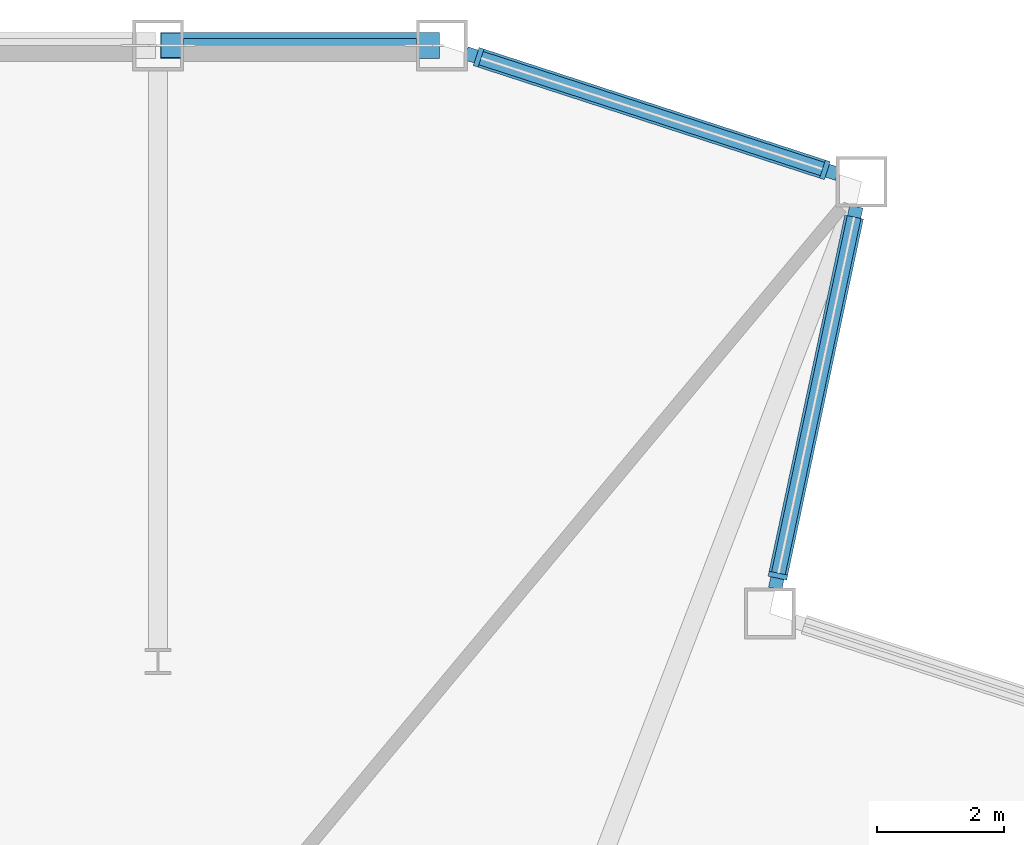
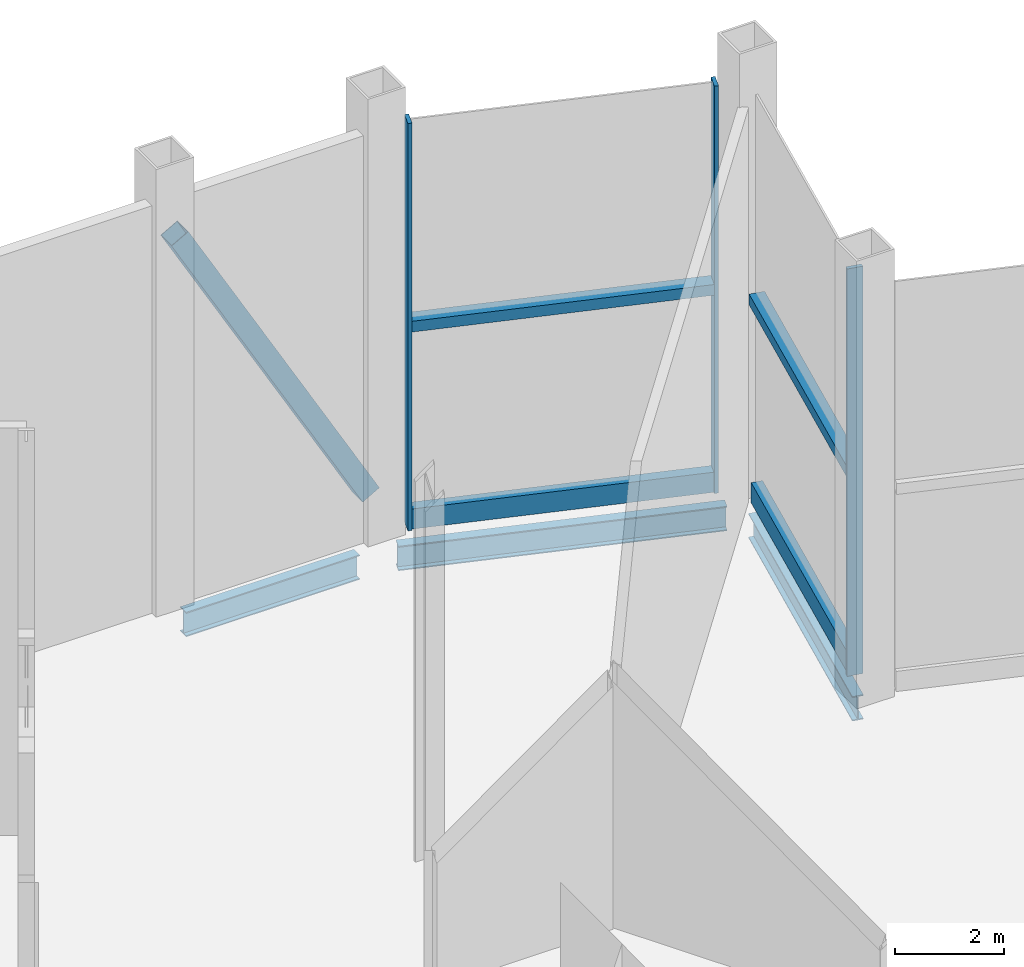
# One storey, part 6 of 18: 8 members, 3 beams, 1 element without a shape of its own.
"""IFC4 building model written with IfcOpenShell, lengths in metres."""

from ifc_helpers import new_model, si_unit, direction, frame, origin, origin_2d, place, context, subcontext, project, spatial, rectangle, hollow_rectangle, i_section, extrude, material, layer, layer_set, material_profile, profile_set, type_object, element, aggregate, save


model = new_model("IFC4")

# Units and contexts
model_context = context("Model", 3, precision=1e-05, world=origin(), true_north=direction((0.0, 1.0)))
body_context = subcontext(model_context, "Body", "Model", "MODEL_VIEW")
ifc_project = project(units=[si_unit("LENGTHUNIT", "METRE"), si_unit("AREAUNIT", "SQUARE_METRE"), si_unit("VOLUMEUNIT", "CUBIC_METRE"), si_unit("PLANEANGLEUNIT", "RADIAN"), si_unit("MASSUNIT", "GRAM", prefix="KILO")], contexts=[model_context])

# Site, building, storey
site_placement = place(None, origin())
site = spatial("IfcSite", under=ifc_project, at=site_placement, CompositionType="ELEMENT")
building_placement = place(site_placement, origin())
building = spatial("IfcBuilding", under=site, at=building_placement, Name="Cormorant Prow Tower", CompositionType="ELEMENT")
storey_placement = place(building_placement, frame((0.0, 0.0, 216.0)))
storey = spatial("IfcBuildingStorey", under=building, at=storey_placement, Name="L48", CompositionType="ELEMENT", Elevation=216.0)

# Member
ifc_material_1 = material(Name="Structural steel ASTM A500 Gr C", Category="steel")
ifc_material_profile_1 = material_profile(ifc_material_1, hollow_rectangle(XDim=0.406494140625, YDim=0.406494140625, WallThickness=0.01171875, at=origin_2d()), Name="HSS16x16x1/2")
ifc_profile_set_1 = profile_set([ifc_material_profile_1], Name="Structural steel ASTM A500 Gr C")
member_type_1 = type_object("IfcMemberType", Name="Chamfer brace HSS16x16x1/2", PredefinedType="BRACE", material=ifc_profile_set_1)
member_1_placement = place(storey_placement, frame((4.253662109375, 32.3994140625, 0.98291015625), z_axis=(-0.492430114988, 0.0, 0.870351987332), x_axis=(0.0, -1.0, 0.0)))
element("IfcMember", 1, at=member_1_placement, inside=storey, type_object=member_type_1, Name="Chamfer brace BR2 at N00 L48", PredefinedType="BRACE", context=body_context, shape_type="SweptSolid", body=[
    extrude(hollow_rectangle(XDim=0.406494140625, YDim=0.406494140625, WallThickness=0.01171875, at=origin_2d()), origin(), (0.0, 0.0, 1.0), 8.19775390625),
])

# Curtain wall, members
ifc_material_2 = material(Name="Aluminium 6063-T6", Category="aluminium")
ifc_layer = layer(ifc_material_2, 0.300048828125)
ifc_layer_set = layer_set([ifc_layer], Name="Aluminium 6063-T6")
curtain_wall_type = type_object("IfcCurtainWallType", Name="Sky lobby unitised curtain wall 300", PredefinedType="NOTDEFINED", material=ifc_layer_set)
curtain_wall_placement = place(storey_placement, origin())
curtain_wall = element("IfcCurtainWall", 2, at=curtain_wall_placement, inside=storey, type_object=curtain_wall_type, Name="Sky lobby curtain wall ENE00-ENE09", PredefinedType="NOTDEFINED")
ifc_material_3 = material(Name="Aluminium 6063-T6", Category="aluminium")
ifc_material_profile_2 = material_profile(ifc_material_3, rectangle(XDim=0.300048828125, YDim=0.239990234375, at=origin_2d()), Name="Sky lobby intermediate transom 300x240")
ifc_profile_set_2 = profile_set([ifc_material_profile_2], Name="Aluminium 6063-T6")
member_type_2 = type_object("IfcMemberType", Name="Sky lobby intermediate transom 300x240", PredefinedType="USERDEFINED", material=ifc_profile_set_2)
member_2_placement = place(storey_placement, frame((9.769775390625, 24.087890625, 4.550537109375), z_axis=(0.207917828816, 0.978146296042, 0.0), x_axis=(-0.978146296042, 0.207917828816, 0.0)))
member_2 = element("IfcMember", 3, at=member_2_placement, type_object=member_type_2, Name="Sky lobby intermediate transom ENE00-ENE09", ObjectType="TRANSOM", PredefinedType="USERDEFINED", context=body_context, shape_type="SweptSolid", body=[
    extrude(rectangle(XDim=0.300048828125, YDim=0.239990234375, at=origin_2d()), origin(), (0.0, 0.0, 1.0), 5.733642578125),
])
member_3_placement = place(storey_placement, frame((10.4638671875, 30.4521484375, 4.550537109375), z_axis=(-0.951061037965, 0.309003077761, 0.0), x_axis=(-0.309003077761, -0.951061037965, 0.0)))
member_3 = element("IfcMember", 4, at=member_3_placement, type_object=member_type_2, Name="Sky lobby intermediate transom ENE00-ENE09", ObjectType="TRANSOM", PredefinedType="USERDEFINED", context=body_context, shape_type="SweptSolid", body=[
    extrude(rectangle(XDim=0.300048828125, YDim=0.239990234375, at=origin_2d()), origin(), (0.0, 0.0, 1.0), 5.65380859375),
])
ifc_material_4 = material(Name="Aluminium 6063-T6", Category="aluminium")
ifc_material_profile_3 = material_profile(ifc_material_4, rectangle(XDim=0.300048828125, YDim=0.080078125, at=origin_2d()), Name="Sky lobby mullion 80x300")
ifc_profile_set_3 = profile_set([ifc_material_profile_3], Name="Aluminium 6063-T6")
member_type_3 = type_object("IfcMemberType", Name="Sky lobby mullion 80x300", PredefinedType="MULLION", material=ifc_profile_set_3)
member_4_placement = place(storey_placement, frame((9.761474609375, 24.048583984375, 0.0), z_axis=(0.0, 0.0, 1.0), x_axis=(-0.97814761838, 0.207911607797, 0.0)))
member_4 = element("IfcMember", 5, at=member_4_placement, type_object=member_type_3, Name="Sky lobby mullion ENE00-ENE09", PredefinedType="MULLION", context=body_context, shape_type="SweptSolid", body=[
    extrude(rectangle(XDim=0.300048828125, YDim=0.080078125, at=origin_2d()), origin(), (0.0, 0.0, 1.0), 9.100830078125),
])
member_5_placement = place(storey_placement, frame((10.501953125, 30.439697265625, 0.0), z_axis=(0.0, 0.0, 1.0), x_axis=(-0.309017037466, -0.951056502294, 0.0)))
member_5 = element("IfcMember", 6, at=member_5_placement, type_object=member_type_3, Name="Sky lobby mullion ENE00-ENE09", PredefinedType="MULLION", context=body_context, shape_type="SweptSolid", body=[
    extrude(rectangle(XDim=0.300048828125, YDim=0.080078125, at=origin_2d()), origin(), (0.0, 0.0, 1.0), 9.100830078125),
])
member_6_placement = place(storey_placement, frame((5.048583984375, 32.211669921875, 0.0), z_axis=(0.0, 0.0, 1.0), x_axis=(-0.309017037466, -0.951056502294, 0.0)))
member_6 = element("IfcMember", 7, at=member_6_placement, type_object=member_type_3, Name="Sky lobby mullion ENE00-ENE09", PredefinedType="MULLION", context=body_context, shape_type="SweptSolid", body=[
    extrude(rectangle(XDim=0.300048828125, YDim=0.080078125, at=origin_2d()), origin(), (0.0, 0.0, 1.0), 9.100830078125),
])
ifc_material_5 = material(Name="Terracotta", Category="masonry")
ifc_material_profile_4 = material_profile(ifc_material_5, rectangle(XDim=0.219970703125, YDim=0.449951171875, at=origin_2d()), Name="Sky lobby terracotta spandrel rail 220x450")
ifc_profile_set_4 = profile_set([ifc_material_profile_4], Name="Terracotta")
member_type_4 = type_object("IfcMemberType", Name="Sky lobby terracotta spandrel rail 220x450", PredefinedType="USERDEFINED", material=ifc_profile_set_4)
member_7_placement = place(storey_placement, frame((9.769775390625, 24.087890625, 0.22509765625), z_axis=(0.207917828816, 0.978146296042, 0.0), x_axis=(-0.978146296042, 0.207917828816, 0.0)))
member_7 = element("IfcMember", 8, at=member_7_placement, type_object=member_type_4, Name="Sky lobby spandrel rail ENE00-ENE09", ObjectType="TRANSOM", PredefinedType="USERDEFINED", context=body_context, shape_type="SweptSolid", body=[
    extrude(rectangle(XDim=0.219970703125, YDim=0.449951171875, at=origin_2d()), origin(), (0.0, 0.0, 1.0), 5.733642578125),
])
member_8_placement = place(storey_placement, frame((10.4638671875, 30.4521484375, 0.22509765625), z_axis=(-0.951061037965, 0.309003077761, 0.0), x_axis=(-0.309003077761, -0.951061037965, 0.0)))
member_8 = element("IfcMember", 9, at=member_8_placement, type_object=member_type_4, Name="Sky lobby spandrel rail ENE00-ENE09", ObjectType="TRANSOM", PredefinedType="USERDEFINED", context=body_context, shape_type="SweptSolid", body=[
    extrude(rectangle(XDim=0.219970703125, YDim=0.449951171875, at=origin_2d()), origin(), (0.0, 0.0, 1.0), 5.65380859375),
])
aggregate(curtain_wall, [member_4, member_7, member_2, member_5, member_6, member_8, member_3])

# Beams
ifc_material_6 = material(Name="Structural steel ASTM A992 Gr 50", Category="steel")
ifc_material_profile_5 = material_profile(ifc_material_6, i_section(OverallWidth=0.2138671875, OverallDepth=0.549072265625, WebThickness=0.0146484375, FlangeThickness=0.023681640625, at=origin_2d()), Name="W21x93")
ifc_profile_set_5 = profile_set([ifc_material_profile_5], Name="Structural steel ASTM A992 Gr 50")
beam_type = type_object("IfcBeamType", Name="Spandrel beam W21x93", PredefinedType="SPANDREL", material=ifc_profile_set_5)
beam_1_placement = place(storey_placement, frame((9.71826171875, 23.84521484375, -0.62451171875), z_axis=(0.207904811195, 0.978149063018, 0.0), x_axis=(-0.978149063018, 0.207904811195, 0.0)))
element("IfcBeam", 10, at=beam_1_placement, inside=storey, type_object=beam_type, Name="Spandrel beam SB2 ENE08-ENE09 L48", PredefinedType="SPANDREL", context=body_context, shape_type="SweptSolid", body=[
    extrude(i_section(OverallWidth=0.2138671875, OverallDepth=0.549072265625, WebThickness=0.0146484375, FlangeThickness=0.023681640625, at=origin_2d()), origin(), (0.0, 0.0, 1.0), 6.149658203125),
])
beam_2_placement = place(storey_placement, frame((10.69970703125, 30.37548828125, -0.62451171875), z_axis=(-0.951057696564, 0.309013361859, 0.0), x_axis=(-0.309013361859, -0.951057696564, 0.0)))
element("IfcBeam", 11, at=beam_2_placement, inside=storey, type_object=beam_type, Name="Spandrel beam SB2 ENE09-N00 L48", PredefinedType="SPANDREL", context=body_context, shape_type="SweptSolid", body=[
    extrude(i_section(OverallWidth=0.2138671875, OverallDepth=0.549072265625, WebThickness=0.0146484375, FlangeThickness=0.023681640625, at=origin_2d()), origin(), (0.0, 0.0, 1.0), 6.14990234375),
])
beam_3_placement = place(storey_placement, frame((4.0703125, 32.3994140625, -0.62451171875), z_axis=(-1.0, 0.0, 0.0), x_axis=(0.0, -1.0, 0.0)))
element("IfcBeam", 12, at=beam_3_placement, inside=storey, type_object=beam_type, Name="Spandrel beam SB2 N00-N01 L48", PredefinedType="SPANDREL", context=body_context, shape_type="SweptSolid", body=[
    extrude(i_section(OverallWidth=0.2138671875, OverallDepth=0.549072265625, WebThickness=0.0146484375, FlangeThickness=0.023681640625, at=origin_2d()), origin(), (0.0, 0.0, 1.0), 3.67041015625),
])

save(model, "model.ifc")
